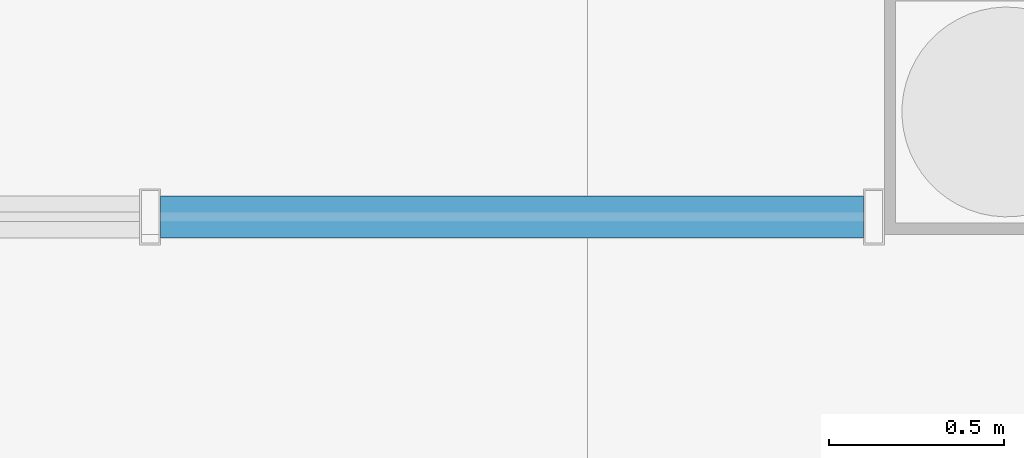
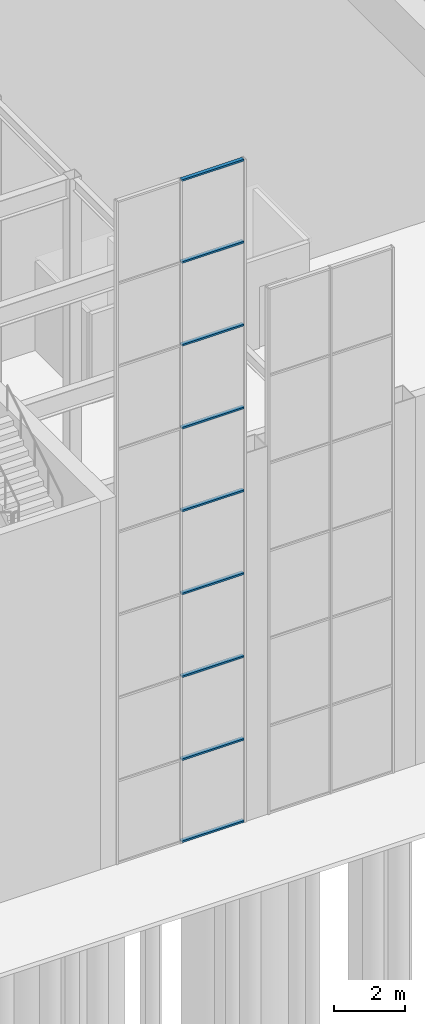
# One storey, part 12 of 58: 9 members, 1 element without a shape of its own.
"""IFC4 building model written with IfcOpenShell, lengths in metres."""

from ifc_helpers import new_model, si_unit, direction, frame, origin, origin_2d, place, context, subcontext, project, spatial, hollow_rectangle, extrude, material, layer, layer_set, material_profile, profile_set, type_object, element, aggregate, save


model = new_model("IFC4")

# Units and contexts
model_context = context("Model", 3, precision=1e-05, world=origin(), true_north=direction((0.0, 1.0)))
body_context = subcontext(model_context, "Body", "Model", "MODEL_VIEW")
ifc_project = project(units=[si_unit("LENGTHUNIT", "METRE"), si_unit("AREAUNIT", "SQUARE_METRE"), si_unit("VOLUMEUNIT", "CUBIC_METRE"), si_unit("PLANEANGLEUNIT", "RADIAN"), si_unit("MASSUNIT", "GRAM", prefix="KILO")], contexts=[model_context])

# Site, building, storey
site_placement = place(None, origin())
site = spatial("IfcSite", under=ifc_project, at=site_placement, CompositionType="ELEMENT")
building_placement = place(site_placement, origin())
building = spatial("IfcBuilding", under=site, at=building_placement, Name="Baori Bourse Tower", CompositionType="ELEMENT")
storey_placement = place(building_placement, origin())
storey = spatial("IfcBuildingStorey", under=building, at=storey_placement, Name="L00", CompositionType="ELEMENT", Elevation=0.0)

# Curtain wall, members
ifc_material_1 = material(Name="Pale anodised aluminium", Category="aluminium")
ifc_layer = layer(ifc_material_1, 0.10009765625)
ifc_layer_set = layer_set([ifc_layer], Name="Wing curtain wall")
curtain_wall_type = type_object("IfcCurtainWallType", Name="Wing curtain wall", PredefinedType="NOTDEFINED", material=ifc_layer_set)
curtain_wall_placement = place(storey_placement, origin())
curtain_wall = element("IfcCurtainWall", 1, at=curtain_wall_placement, inside=storey, type_object=curtain_wall_type, Name="wing/L00/hallcw/001", PredefinedType="NOTDEFINED")
ifc_material_2 = material(Name="Pale anodised aluminium", Category="aluminium")
ifc_material_profile = material_profile(ifc_material_2, hollow_rectangle(XDim=0.1201171875, YDim=0.06005859375, WallThickness=0.0048828125, at=origin_2d()), Name="Transom 120x60x5")
ifc_profile_set = profile_set([ifc_material_profile], Name="Pale anodised aluminium")
member_type = type_object("IfcMemberType", Name="Wing transom 120x60", PredefinedType="USERDEFINED", material=ifc_profile_set)
member_1_placement = place(storey_placement, frame((2.3798828125, -25.14990234375, 0.030029296875), z_axis=(1.0, 0.0, 0.0), x_axis=(0.0, 1.0, 0.0)))
member_1 = element("IfcMember", 2, at=member_1_placement, type_object=member_type, Name="X12 transom 2.1", ObjectType="TRANSOM", PredefinedType="USERDEFINED", context=body_context, shape_type="SweptSolid", body=[
    extrude(hollow_rectangle(XDim=0.1201171875, YDim=0.06005859375, WallThickness=0.0048828125, at=origin_2d()), origin(), (0.0, 0.0, 1.0), 2.010009765625),
])
member_2_placement = place(storey_placement, frame((2.3798828125, -25.14990234375, 2.83740234375), z_axis=(1.0, 0.0, 0.0), x_axis=(0.0, 1.0, 0.0)))
member_2 = element("IfcMember", 3, at=member_2_placement, type_object=member_type, Name="X12 transom 2.2", ObjectType="TRANSOM", PredefinedType="USERDEFINED", context=body_context, shape_type="SweptSolid", body=[
    extrude(hollow_rectangle(XDim=0.1201171875, YDim=0.06005859375, WallThickness=0.0048828125, at=origin_2d()), origin(), (0.0, 0.0, 1.0), 2.010009765625),
])
member_3_placement = place(storey_placement, frame((2.3798828125, -25.14990234375, 5.675048828125), z_axis=(1.0, 0.0, 0.0), x_axis=(0.0, 1.0, 0.0)))
member_3 = element("IfcMember", 4, at=member_3_placement, type_object=member_type, Name="X12 transom 2.3", ObjectType="TRANSOM", PredefinedType="USERDEFINED", context=body_context, shape_type="SweptSolid", body=[
    extrude(hollow_rectangle(XDim=0.1201171875, YDim=0.06005859375, WallThickness=0.0048828125, at=origin_2d()), origin(), (0.0, 0.0, 1.0), 2.010009765625),
])
member_4_placement = place(storey_placement, frame((2.3798828125, -25.14990234375, 8.512451171875), z_axis=(1.0, 0.0, 0.0), x_axis=(0.0, 1.0, 0.0)))
member_4 = element("IfcMember", 5, at=member_4_placement, type_object=member_type, Name="X12 transom 2.4", ObjectType="TRANSOM", PredefinedType="USERDEFINED", context=body_context, shape_type="SweptSolid", body=[
    extrude(hollow_rectangle(XDim=0.1201171875, YDim=0.06005859375, WallThickness=0.0048828125, at=origin_2d()), origin(), (0.0, 0.0, 1.0), 2.010009765625),
])
member_5_placement = place(storey_placement, frame((2.3798828125, -25.14990234375, 11.35009765625), z_axis=(1.0, 0.0, 0.0), x_axis=(0.0, 1.0, 0.0)))
member_5 = element("IfcMember", 6, at=member_5_placement, type_object=member_type, Name="X12 transom 2.5", ObjectType="TRANSOM", PredefinedType="USERDEFINED", context=body_context, shape_type="SweptSolid", body=[
    extrude(hollow_rectangle(XDim=0.1201171875, YDim=0.06005859375, WallThickness=0.0048828125, at=origin_2d()), origin(), (0.0, 0.0, 1.0), 2.010009765625),
])
member_6_placement = place(storey_placement, frame((2.3798828125, -25.14990234375, 14.1875), z_axis=(1.0, 0.0, 0.0), x_axis=(0.0, 1.0, 0.0)))
member_6 = element("IfcMember", 7, at=member_6_placement, type_object=member_type, Name="X12 transom 2.6", ObjectType="TRANSOM", PredefinedType="USERDEFINED", context=body_context, shape_type="SweptSolid", body=[
    extrude(hollow_rectangle(XDim=0.1201171875, YDim=0.06005859375, WallThickness=0.0048828125, at=origin_2d()), origin(), (0.0, 0.0, 1.0), 2.010009765625),
])
member_7_placement = place(storey_placement, frame((2.3798828125, -25.14990234375, 17.02490234375), z_axis=(1.0, 0.0, 0.0), x_axis=(0.0, 1.0, 0.0)))
member_7 = element("IfcMember", 8, at=member_7_placement, type_object=member_type, Name="X12 transom 2.7", ObjectType="TRANSOM", PredefinedType="USERDEFINED", context=body_context, shape_type="SweptSolid", body=[
    extrude(hollow_rectangle(XDim=0.1201171875, YDim=0.06005859375, WallThickness=0.0048828125, at=origin_2d()), origin(), (0.0, 0.0, 1.0), 2.010009765625),
])
member_8_placement = place(storey_placement, frame((2.3798828125, -25.14990234375, 19.862548828125), z_axis=(1.0, 0.0, 0.0), x_axis=(0.0, 1.0, 0.0)))
member_8 = element("IfcMember", 9, at=member_8_placement, type_object=member_type, Name="X12 transom 2.8", ObjectType="TRANSOM", PredefinedType="USERDEFINED", context=body_context, shape_type="SweptSolid", body=[
    extrude(hollow_rectangle(XDim=0.1201171875, YDim=0.06005859375, WallThickness=0.0048828125, at=origin_2d()), origin(), (0.0, 0.0, 1.0), 2.010009765625),
])
member_9_placement = place(storey_placement, frame((2.3798828125, -25.14990234375, 22.669921875), z_axis=(1.0, 0.0, 0.0), x_axis=(0.0, 1.0, 0.0)))
member_9 = element("IfcMember", 10, at=member_9_placement, type_object=member_type, Name="X12 transom 2.9", ObjectType="TRANSOM", PredefinedType="USERDEFINED", context=body_context, shape_type="SweptSolid", body=[
    extrude(hollow_rectangle(XDim=0.1201171875, YDim=0.06005859375, WallThickness=0.0048828125, at=origin_2d()), origin(), (0.0, 0.0, 1.0), 2.010009765625),
])
aggregate(curtain_wall, [member_1, member_2, member_3, member_4, member_5, member_6, member_7, member_8, member_9])

save(model, "model.ifc")
